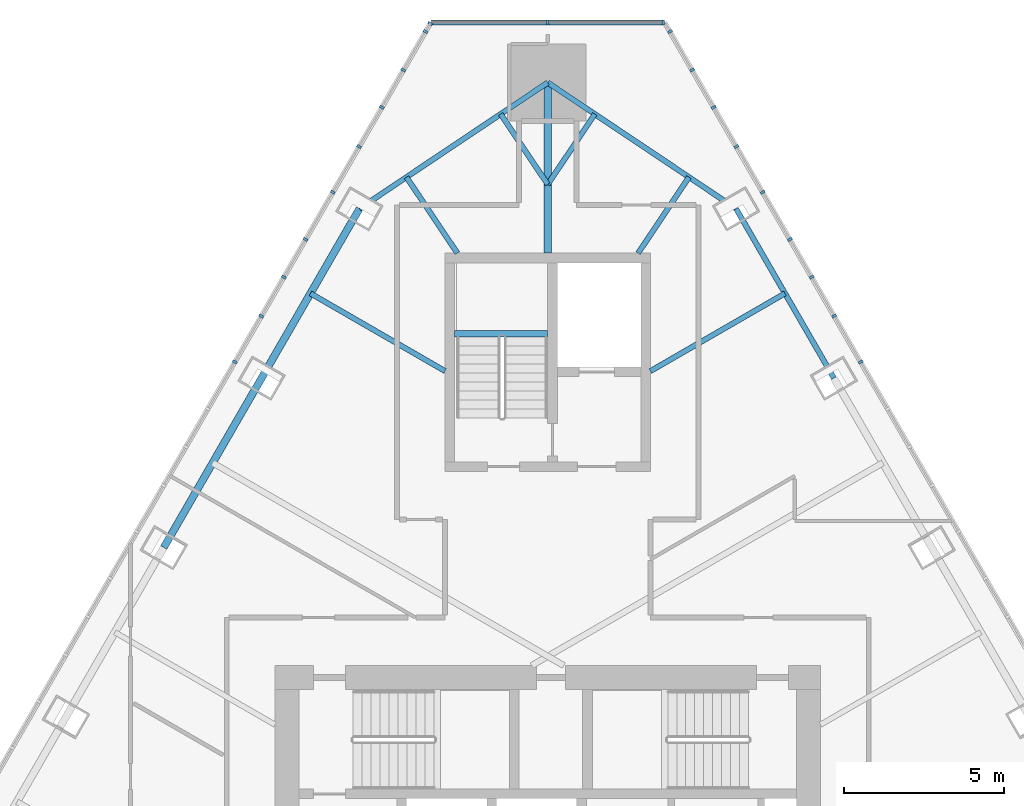
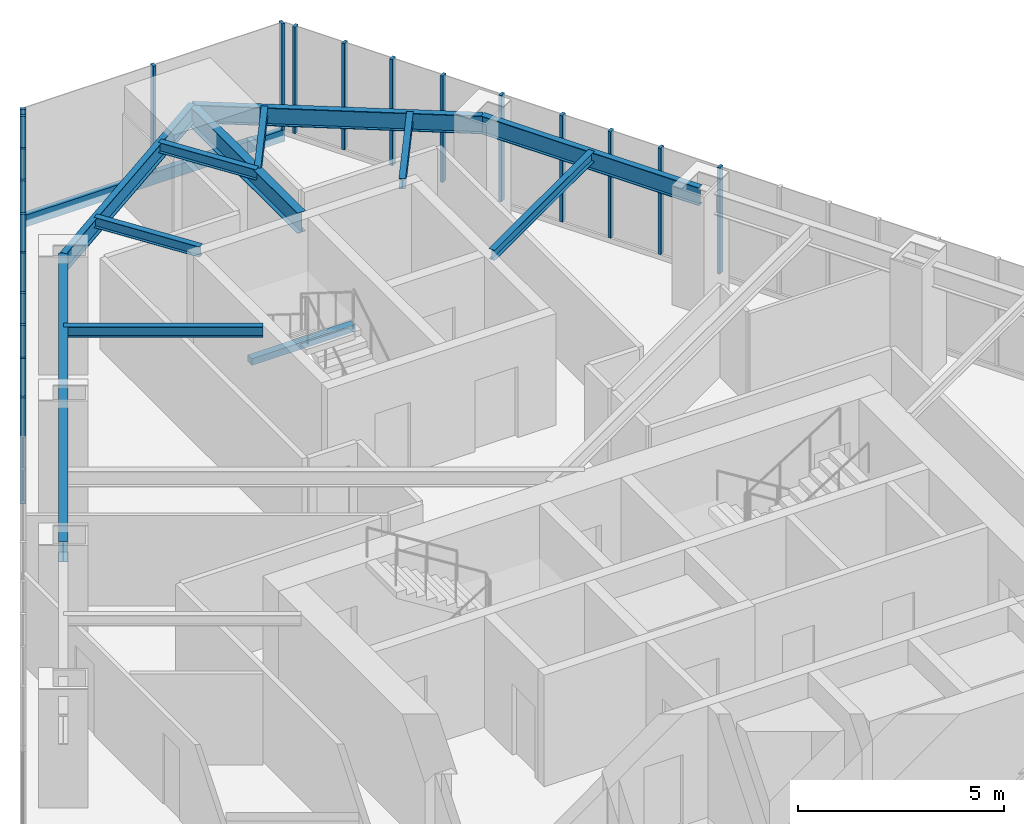
# One storey, part 9 of 20: 22 members, 12 beams, 3 elements without a shape of their own.
"""IFC4 building model written with IfcOpenShell, lengths in metres."""

import ifcopenshell
import ifcopenshell.guid

model = None  # the IFC model being written
_history = None  # IfcOwnerHistory: only IFC2X3 demands one
_inside = {}  # id of a spatial element -> (the spatial element, [elements in it])
_under = {}  # id of a project, library or spatial element -> (it, [spatial elements below it])
_declared = {}  # id of a project -> (the project, [libraries it declares])
_typed = {}  # id of a type object -> (the type object, [elements of that type])
_made_of = {}  # id of a material, layer set ... -> (it, [elements and type objects made of it])


def new_model(schema):
    """Start an empty IFC model of exactly this schema.

    Asked for "IFC4X3", IfcOpenShell would pick the latest addendum, in which some entities
    have other attributes; the version numbers below select the first issue.
    IFC2X3 requires an IfcOwnerHistory on every rooted entity: one is made here for all.
    """
    global model, _history
    if schema == "IFC4X3":
        model = ifcopenshell.file(schema_version=(4, 3, 0, 0))
    else:
        model = ifcopenshell.file(schema=schema)
    _inside.clear()
    _under.clear()
    _declared.clear()
    _typed.clear()
    _made_of.clear()
    _history = None
    if model.schema == "IFC2X3":
        org = make("IfcOrganization", Name="unknown")
        user = make(
            "IfcPersonAndOrganization",
            ThePerson=make("IfcPerson", FamilyName="unknown"),
            TheOrganization=org,
        )
        app = make(
            "IfcApplication",
            ApplicationDeveloper=org,
            Version="unknown",
            ApplicationFullName="unknown",
            ApplicationIdentifier="unknown",
        )
        _history = make(
            "IfcOwnerHistory",
            OwningUser=user,
            OwningApplication=app,
            ChangeAction="ADDED",
            CreationDate=0,
        )
    return model


def make(cls, **values):
    """One entity of the class cls with the attributes given. An attribute that is None is left unset."""
    return model.create_entity(
        cls, **{name: value for name, value in values.items() if value is not None}
    )


def rooted(cls, **values):
    """An entity with a GlobalId (a new one), such as an element, a storey or a relation."""
    return make(cls, GlobalId=ifcopenshell.guid.new(), OwnerHistory=_history, **values)


def si_unit(unit_type, name, prefix=None):
    """IfcSIUnit, for example si_unit("LENGTHUNIT", "METRE", prefix="MILLI")."""
    return make("IfcSIUnit", UnitType=unit_type, Prefix=prefix, Name=name)


def assignment(units):
    """IfcUnitAssignment: the units of a project."""
    return None if units is None else make("IfcUnitAssignment", Units=units)


def point(xyz):
    """IfcCartesianPoint."""
    return None if xyz is None else make("IfcCartesianPoint", Coordinates=xyz)


def direction(xyz):
    """IfcDirection."""
    return None if xyz is None else make("IfcDirection", DirectionRatios=xyz)


def frame(location, z_axis=None, x_axis=None):
    """IfcAxis2Placement3D, a coordinate frame: its origin and axes. An axis left out is left unset."""
    return make(
        "IfcAxis2Placement3D",
        Location=point(location),
        Axis=direction(z_axis),
        RefDirection=direction(x_axis),
    )


def frame_2d(location, x_axis=None):
    """IfcAxis2Placement2D, a coordinate frame in the plane: its origin and x axis."""
    return make(
        "IfcAxis2Placement2D", Location=point(location), RefDirection=direction(x_axis)
    )


def origin():
    """The frame at (0, 0, 0) with its axes left unset."""
    return frame((0.0, 0.0, 0.0))


def origin_2d():
    """The frame at (0, 0) in the plane with its x axis left unset."""
    return frame_2d((0.0, 0.0))


def place(relative_to, where):
    """IfcLocalPlacement: puts the frame where relative to a parent placement (None: the world)."""
    return make(
        "IfcLocalPlacement", PlacementRelTo=relative_to, RelativePlacement=where
    )


def context(
    kind, dimensions, precision=None, world=None, true_north=None, identifier=None
):
    """IfcGeometricRepresentationContext, for example the 3D "Model" context."""
    return make(
        "IfcGeometricRepresentationContext",
        ContextIdentifier=identifier,
        ContextType=kind,
        CoordinateSpaceDimension=dimensions,
        Precision=precision,
        WorldCoordinateSystem=world,
        TrueNorth=true_north,
    )


def subcontext(parent, identifier, kind, view, scale=None):
    """IfcGeometricRepresentationSubContext, for example "Body" below "Model"."""
    return make(
        "IfcGeometricRepresentationSubContext",
        ContextIdentifier=identifier,
        ContextType=kind,
        ParentContext=parent,
        TargetScale=scale,
        TargetView=view,
    )


def project(units=None, contexts=None):
    """IfcProject with its units and contexts."""
    return rooted(
        "IfcProject",
        Name="project",
        RepresentationContexts=contexts,
        UnitsInContext=assignment(units),
    )


def spatial(cls, under=None, at=None, **own):
    """A site, building, storey or space (cls), placed at a placement, below another one or the project."""
    s = rooted(cls, ObjectPlacement=at, **own)
    if under is not None:
        _under.setdefault(under.id(), (under, []))[1].append(s)
    return s


def profile(cls, at=None, kind="AREA", **sizes):
    """A parametric profile (cls). Its sizes go by their IFC names, for example OverallWidth=200.0."""
    return make(cls, ProfileType=kind, Position=at, **sizes)


def rectangle(**sizes):
    """IfcRectangleProfileDef."""
    return profile("IfcRectangleProfileDef", **sizes)


def i_section(**sizes):
    """IfcIShapeProfileDef."""
    return profile("IfcIShapeProfileDef", **sizes)


def extrude(swept, where, along, depth):
    """IfcExtrudedAreaSolid: the profile swept, set in the frame where, extruded along a direction by depth."""
    return make(
        "IfcExtrudedAreaSolid",
        SweptArea=swept,
        Position=where,
        ExtrudedDirection=direction(along),
        Depth=depth,
    )


def shape(context_of_items, identifier, shape_type, items):
    """IfcShapeRepresentation: the items that make up one representation, for example the "Body"."""
    return make(
        "IfcShapeRepresentation",
        ContextOfItems=context_of_items,
        RepresentationIdentifier=identifier,
        RepresentationType=shape_type,
        Items=items,
    )


def material(Name=None, Category=None):
    """IfcMaterial."""
    return make("IfcMaterial", Name=Name, Category=Category)


def layer(
    of_material, thickness, ventilated=None, Name=None, Category=None, Priority=None
):
    """IfcMaterialLayer: one layer of a wall or slab, of a material (None: an air gap)."""
    return make(
        "IfcMaterialLayer",
        Material=of_material,
        LayerThickness=thickness,
        IsVentilated=ventilated,
        Name=Name,
        Category=Category,
        Priority=Priority,
    )


def layer_set(layers, Name=None):
    """IfcMaterialLayerSet."""
    return make("IfcMaterialLayerSet", MaterialLayers=layers, LayerSetName=Name)


def material_profile(
    of_material, cross_section, Name=None, Category=None, Priority=None
):
    """IfcMaterialProfile: a cross section and its material."""
    return make(
        "IfcMaterialProfile",
        Name=Name,
        Material=of_material,
        Profile=cross_section,
        Priority=Priority,
        Category=Category,
    )


def profile_set(profiles, Name=None, composite=None):
    """IfcMaterialProfileSet."""
    return make(
        "IfcMaterialProfileSet",
        Name=Name,
        MaterialProfiles=profiles,
        CompositeProfile=composite,
    )


def made_of(thing, what):
    """Note that an element or type object is made of a material, layer set ...; save() writes the relation."""
    if what is not None:
        _made_of.setdefault(what.id(), (what, []))[1].append(thing)
    return thing


def type_object(cls, material=None, **own):
    """A type object (cls), such as IfcWallType, which elements share."""
    return made_of(rooted(cls, **own), material)


def element(
    cls,
    number,
    at=None,
    inside=None,
    cuts=None,
    type_object=None,
    material=None,
    context=None,
    identifier="Body",
    shape_type=None,
    held_by="IfcProductDefinitionShape",
    body=None,
    shapes=None,
    **own,
):
    """One element of the class cls, such as IfcWall. Its Tag is "e" and its number.

    at: its placement. inside: the storey or other place that contains it. cuts: it is an
    opening in that element (IfcRelVoidsElement). A single representation is given by context,
    identifier, shape_type and body (its items); several are given by shapes. held_by: the class
    of the entity that holds the representations. save() writes the other relations.
    """
    e = rooted(cls, Tag="e%d" % number, ObjectPlacement=at, **own)
    if body is not None:
        shapes = [shape(context, identifier, shape_type, body)]
    if shapes is not None:
        e.Representation = make(held_by, Representations=shapes)
    if inside is not None:
        _inside.setdefault(inside.id(), (inside, []))[1].append(e)
    if cuts is not None:
        rooted(
            "IfcRelVoidsElement", RelatingBuildingElement=cuts, RelatedOpeningElement=e
        )
    if type_object is not None:
        _typed.setdefault(type_object.id(), (type_object, []))[1].append(e)
    return made_of(e, material)


def aggregate(whole, parts):
    """IfcRelAggregates: a whole, such as a stair, and the parts it consists of."""
    return rooted("IfcRelAggregates", RelatingObject=whole, RelatedObjects=parts)


def save(model, path):
    """Write the relations noted so far, then the file.

    IfcRelAggregates (storeys below a building ...), IfcRelContainedInSpatialStructure (elements
    in a storey), IfcRelDefinesByType, IfcRelAssociatesMaterial and IfcRelDeclares: one each for
    every whole, place, type object, material and project.
    """
    for whole, parts in _under.values():
        aggregate(whole, parts)
    for where, things in _inside.values():
        rooted(
            "IfcRelContainedInSpatialStructure",
            RelatedElements=things,
            RelatingStructure=where,
        )
    for kind, things in _typed.values():
        rooted("IfcRelDefinesByType", RelatedObjects=things, RelatingType=kind)
    for what, things in _made_of.values():
        rooted("IfcRelAssociatesMaterial", RelatedObjects=things, RelatingMaterial=what)
    for by, libraries in _declared.values():
        rooted("IfcRelDeclares", RelatingContext=by, RelatedDefinitions=libraries)
    model.write(path)


model = new_model("IFC4")

# Units and contexts
model_context = context("Model", 3, precision=1e-05, world=origin(), true_north=direction((0.0, 1.0)))
body_context = subcontext(model_context, "Body", "Model", "MODEL_VIEW")
ifc_project = project(units=[si_unit("LENGTHUNIT", "METRE"), si_unit("AREAUNIT", "SQUARE_METRE"), si_unit("VOLUMEUNIT", "CUBIC_METRE"), si_unit("PLANEANGLEUNIT", "RADIAN"), si_unit("MASSUNIT", "GRAM", prefix="KILO")], contexts=[model_context])

# Site, building, storey
site_placement = place(None, origin())
site = spatial("IfcSite", under=ifc_project, at=site_placement, CompositionType="ELEMENT")
building_placement = place(site_placement, origin())
building = spatial("IfcBuilding", under=site, at=building_placement, Name="Firuza Gate Tower and Library", CompositionType="ELEMENT")
storey_placement = place(building_placement, frame((0.0, 0.0, 305.60009765625)))
storey = spatial("IfcBuildingStorey", under=building, at=storey_placement, Name="L74", CompositionType="ELEMENT", Elevation=305.60009765625)

# Curtain wall, members
ifc_material_1 = material(Name="Aluminium 6063-T6", Category="aluminium")
ifc_layer_1 = layer(ifc_material_1, 0.14990234375)
ifc_layer_set_1 = layer_set([ifc_layer_1], Name="Unitised curtain wall, residences")
curtain_wall_type_1 = type_object("IfcCurtainWallType", Name="Unitised curtain wall, residences", PredefinedType="NOTDEFINED", material=ifc_layer_set_1)
placement = place(storey_placement, origin())
curtain_wall_1 = element("IfcCurtainWall", 1, at=placement, inside=storey, type_object=curtain_wall_type_1, Name="CW3 L74 E face", PredefinedType="NOTDEFINED")
ifc_material_2 = material(Name="Aluminium 6063-T6", Category="aluminium")
ifc_material_profile_1 = material_profile(ifc_material_2, rectangle(XDim=0.14990234375, YDim=0.080078125, at=origin_2d()))
ifc_profile_set_1 = profile_set([ifc_material_profile_1], Name="Aluminium 6063-T6")
member_type_1 = type_object("IfcMemberType", Name="Curtain wall mullion 80x150", PredefinedType="MULLION", material=ifc_profile_set_1)
member_1_placement = place(storey_placement, frame((84.751708984375, 91.210205078125, 0.14990234375), z_axis=(0.0, 0.0, 1.0), x_axis=(-0.866025403784, -0.5, 0.0)))
member_1 = element("IfcMember", 2, at=member_1_placement, type_object=member_type_1, Name="Mullion", PredefinedType="MULLION", context=body_context, shape_type="SweptSolid", body=[
    extrude(rectangle(XDim=0.14990234375, YDim=0.080078125, at=origin_2d()), origin(), (0.0, 0.0, 1.0), 3.14990234375),
])
member_2_placement = place(storey_placement, frame((83.224609375, 93.855224609375, 0.14990234375), z_axis=(0.0, 0.0, 1.0), x_axis=(-0.866025403784, -0.5, 0.0)))
member_2 = element("IfcMember", 3, at=member_2_placement, type_object=member_type_1, Name="Mullion", PredefinedType="MULLION", context=body_context, shape_type="SweptSolid", body=[
    extrude(rectangle(XDim=0.14990234375, YDim=0.080078125, at=origin_2d()), origin(), (0.0, 0.0, 1.0), 3.14990234375),
])
member_3_placement = place(storey_placement, frame((81.697509765625, 96.500244140625, 0.14990234375), z_axis=(0.0, 0.0, 1.0), x_axis=(-0.866025403784, -0.5, 0.0)))
member_3 = element("IfcMember", 4, at=member_3_placement, type_object=member_type_1, Name="Mullion", PredefinedType="MULLION", context=body_context, shape_type="SweptSolid", body=[
    extrude(rectangle(XDim=0.14990234375, YDim=0.080078125, at=origin_2d()), origin(), (0.0, 0.0, 1.0), 3.14990234375),
])
member_4_placement = place(storey_placement, frame((80.17041015625, 99.145263671875, 0.14990234375), z_axis=(0.0, 0.0, 1.0), x_axis=(-0.866025403784, -0.5, 0.0)))
member_4 = element("IfcMember", 5, at=member_4_placement, type_object=member_type_1, Name="Mullion", PredefinedType="MULLION", context=body_context, shape_type="SweptSolid", body=[
    extrude(rectangle(XDim=0.14990234375, YDim=0.080078125, at=origin_2d()), origin(), (0.0, 0.0, 1.0), 3.14990234375),
])
member_5_placement = place(storey_placement, frame((83.92626953125, 92.639892578125, 0.14990234375), z_axis=(0.0, 0.0, 1.0), x_axis=(-0.866025403784, -0.5, 0.0)))
member_5 = element("IfcMember", 6, at=member_5_placement, type_object=member_type_1, Name="Mullion", PredefinedType="MULLION", context=body_context, shape_type="SweptSolid", body=[
    extrude(rectangle(XDim=0.14990234375, YDim=0.080078125, at=origin_2d()), origin(), (0.0, 0.0, 1.0), 3.14990234375),
])
member_6_placement = place(storey_placement, frame((82.547607421875, 95.027587890625, 0.14990234375), z_axis=(0.0, 0.0, 1.0), x_axis=(-0.866025403784, -0.5, 0.0)))
member_6 = element("IfcMember", 7, at=member_6_placement, type_object=member_type_1, Name="Mullion", PredefinedType="MULLION", context=body_context, shape_type="SweptSolid", body=[
    extrude(rectangle(XDim=0.14990234375, YDim=0.080078125, at=origin_2d()), origin(), (0.0, 0.0, 1.0), 3.14990234375),
])
member_7_placement = place(storey_placement, frame((80.878173828125, 97.919189453125, 0.14990234375), z_axis=(0.0, 0.0, 1.0), x_axis=(-0.866025403784, -0.5, 0.0)))
member_7 = element("IfcMember", 8, at=member_7_placement, type_object=member_type_1, Name="Mullion", PredefinedType="MULLION", context=body_context, shape_type="SweptSolid", body=[
    extrude(rectangle(XDim=0.14990234375, YDim=0.080078125, at=origin_2d()), origin(), (0.0, 0.0, 1.0), 3.14990234375),
])
member_8_placement = place(storey_placement, frame((79.499755859375, 100.306884765625, 0.14990234375), z_axis=(0.0, 0.0, 1.0), x_axis=(-0.866025403784, -0.5, 0.0)))
member_8 = element("IfcMember", 9, at=member_8_placement, type_object=member_type_1, Name="Mullion", PredefinedType="MULLION", context=body_context, shape_type="SweptSolid", body=[
    extrude(rectangle(XDim=0.14990234375, YDim=0.080078125, at=origin_2d()), origin(), (0.0, 0.0, 1.0), 3.14990234375),
])
member_9_placement = place(storey_placement, frame((78.808837890625, 101.50341796875, 0.14990234375), z_axis=(0.0, 0.0, 1.0), x_axis=(-0.866025403784, -0.5, 0.0)))
member_9 = element("IfcMember", 10, at=member_9_placement, type_object=member_type_1, Name="Mullion", PredefinedType="MULLION", context=body_context, shape_type="SweptSolid", body=[
    extrude(rectangle(XDim=0.14990234375, YDim=0.080078125, at=origin_2d()), origin(), (0.0, 0.0, 1.0), 3.14990234375),
])
aggregate(curtain_wall_1, [member_1, member_2, member_3, member_4, member_5, member_6, member_7, member_8, member_9])

ifc_material_3 = material(Name="Aluminium 6063-T6", Category="aluminium")
ifc_layer_2 = layer(ifc_material_3, 0.14990234375)
ifc_layer_set_2 = layer_set([ifc_layer_2], Name="Corner curtain wall, chamfers")
curtain_wall_type_2 = type_object("IfcCurtainWallType", Name="Corner curtain wall, chamfers", PredefinedType="NOTDEFINED", material=ifc_layer_set_2)
curtain_wall_2 = element("IfcCurtainWall", 11, at=placement, inside=storey, type_object=curtain_wall_type_2, Name="CW4 L74 N corner", PredefinedType="NOTDEFINED")
member_10_placement = place(storey_placement, frame((78.603271484375, 101.7900390625, 0.14990234375), z_axis=(0.0, 0.0, 1.0), x_axis=(0.0, -1.0, 0.0)))
member_10 = element("IfcMember", 12, at=member_10_placement, type_object=member_type_1, Name="Mullion", PredefinedType="MULLION", context=body_context, shape_type="SweptSolid", body=[
    extrude(rectangle(XDim=0.14990234375, YDim=0.080078125, at=origin_2d()), origin(), (0.0, 0.0, 1.0), 3.14990234375),
])
member_11_placement = place(storey_placement, frame((75.0, 101.7900390625, 0.14990234375), z_axis=(0.0, 0.0, 1.0), x_axis=(0.0, -1.0, 0.0)))
member_11 = element("IfcMember", 13, at=member_11_placement, type_object=member_type_1, Name="Mullion", PredefinedType="MULLION", context=body_context, shape_type="SweptSolid", body=[
    extrude(rectangle(XDim=0.14990234375, YDim=0.080078125, at=origin_2d()), origin(), (0.0, 0.0, 1.0), 3.14990234375),
])

curtain_wall_3 = element("IfcCurtainWall", 14, at=placement, inside=storey, type_object=curtain_wall_type_1, Name="CW3 L74 W face", PredefinedType="NOTDEFINED")
member_12_placement = place(storey_placement, frame((71.336669921875, 101.755615234375, 0.14990234375), z_axis=(0.0, 0.0, 1.0), x_axis=(0.866025403784, -0.5, 0.0)))
member_12 = element("IfcMember", 15, at=member_12_placement, type_object=member_type_1, Name="Mullion", PredefinedType="MULLION", context=body_context, shape_type="SweptSolid", body=[
    extrude(rectangle(XDim=0.14990234375, YDim=0.080078125, at=origin_2d()), origin(), (0.0, 0.0, 1.0), 3.14990234375),
])
member_13_placement = place(storey_placement, frame((69.82958984375, 99.145263671875, 0.14990234375), z_axis=(0.0, 0.0, 1.0), x_axis=(0.866025403784, -0.5, 0.0)))
member_13 = element("IfcMember", 16, at=member_13_placement, type_object=member_type_1, Name="Mullion", PredefinedType="MULLION", context=body_context, shape_type="SweptSolid", body=[
    extrude(rectangle(XDim=0.14990234375, YDim=0.080078125, at=origin_2d()), origin(), (0.0, 0.0, 1.0), 3.14990234375),
])
member_14_placement = place(storey_placement, frame((68.302490234375, 96.500244140625, 0.14990234375), z_axis=(0.0, 0.0, 1.0), x_axis=(0.866025403784, -0.5, 0.0)))
member_14 = element("IfcMember", 17, at=member_14_placement, type_object=member_type_1, Name="Mullion", PredefinedType="MULLION", context=body_context, shape_type="SweptSolid", body=[
    extrude(rectangle(XDim=0.14990234375, YDim=0.080078125, at=origin_2d()), origin(), (0.0, 0.0, 1.0), 3.14990234375),
])
member_15_placement = place(storey_placement, frame((66.775390625, 93.855224609375, 0.14990234375), z_axis=(0.0, 0.0, 1.0), x_axis=(0.866025403784, -0.5, 0.0)))
member_15 = element("IfcMember", 18, at=member_15_placement, type_object=member_type_1, Name="Mullion", PredefinedType="MULLION", context=body_context, shape_type="SweptSolid", body=[
    extrude(rectangle(XDim=0.14990234375, YDim=0.080078125, at=origin_2d()), origin(), (0.0, 0.0, 1.0), 3.14990234375),
])
member_16_placement = place(storey_placement, frame((65.248291015625, 91.210205078125, 0.14990234375), z_axis=(0.0, 0.0, 1.0), x_axis=(0.866025403784, -0.5, 0.0)))
member_16 = element("IfcMember", 19, at=member_16_placement, type_object=member_type_1, Name="Mullion", PredefinedType="MULLION", context=body_context, shape_type="SweptSolid", body=[
    extrude(rectangle(XDim=0.14990234375, YDim=0.080078125, at=origin_2d()), origin(), (0.0, 0.0, 1.0), 3.14990234375),
])
member_17_placement = place(storey_placement, frame((71.191162109375, 101.50341796875, 0.14990234375), z_axis=(0.0, 0.0, 1.0), x_axis=(0.866025403784, -0.5, 0.0)))
member_17 = element("IfcMember", 20, at=member_17_placement, type_object=member_type_1, Name="Mullion", PredefinedType="MULLION", context=body_context, shape_type="SweptSolid", body=[
    extrude(rectangle(XDim=0.14990234375, YDim=0.080078125, at=origin_2d()), origin(), (0.0, 0.0, 1.0), 3.14990234375),
])
member_18_placement = place(storey_placement, frame((70.500244140625, 100.306884765625, 0.14990234375), z_axis=(0.0, 0.0, 1.0), x_axis=(0.866025403784, -0.5, 0.0)))
member_18 = element("IfcMember", 21, at=member_18_placement, type_object=member_type_1, Name="Mullion", PredefinedType="MULLION", context=body_context, shape_type="SweptSolid", body=[
    extrude(rectangle(XDim=0.14990234375, YDim=0.080078125, at=origin_2d()), origin(), (0.0, 0.0, 1.0), 3.14990234375),
])
member_19_placement = place(storey_placement, frame((69.121826171875, 97.919189453125, 0.14990234375), z_axis=(0.0, 0.0, 1.0), x_axis=(0.866025403784, -0.5, 0.0)))
member_19 = element("IfcMember", 22, at=member_19_placement, type_object=member_type_1, Name="Mullion", PredefinedType="MULLION", context=body_context, shape_type="SweptSolid", body=[
    extrude(rectangle(XDim=0.14990234375, YDim=0.080078125, at=origin_2d()), origin(), (0.0, 0.0, 1.0), 3.14990234375),
])
member_20_placement = place(storey_placement, frame((67.452392578125, 95.027587890625, 0.14990234375), z_axis=(0.0, 0.0, 1.0), x_axis=(0.866025403784, -0.5, 0.0)))
member_20 = element("IfcMember", 23, at=member_20_placement, type_object=member_type_1, Name="Mullion", PredefinedType="MULLION", context=body_context, shape_type="SweptSolid", body=[
    extrude(rectangle(XDim=0.14990234375, YDim=0.080078125, at=origin_2d()), origin(), (0.0, 0.0, 1.0), 3.14990234375),
])
member_21_placement = place(storey_placement, frame((66.07373046875, 92.639892578125, 0.14990234375), z_axis=(0.0, 0.0, 1.0), x_axis=(0.866025403784, -0.5, 0.0)))
member_21 = element("IfcMember", 24, at=member_21_placement, type_object=member_type_1, Name="Mullion", PredefinedType="MULLION", context=body_context, shape_type="SweptSolid", body=[
    extrude(rectangle(XDim=0.14990234375, YDim=0.080078125, at=origin_2d()), origin(), (0.0, 0.0, 1.0), 3.14990234375),
])
aggregate(curtain_wall_3, [member_12, member_13, member_14, member_15, member_16, member_17, member_18, member_19, member_20, member_21])

# Member
ifc_material_4 = material(Name="Aluminium 6063-T6", Category="aluminium")
ifc_material_profile_2 = material_profile(ifc_material_4, rectangle(XDim=0.14990234375, YDim=0.35009765625, at=origin_2d()))
ifc_profile_set_2 = profile_set([ifc_material_profile_2], Name="Aluminium 6063-T6")
member_type_2 = type_object("IfcMemberType", Name="Curtain wall transom 350x150", PredefinedType="USERDEFINED", material=ifc_profile_set_2)
member_22_placement = place(storey_placement, frame((78.643310546875, 101.7900390625, -0.025146484375), z_axis=(-1.0, 0.0, 0.0), x_axis=(0.0, -1.0, 0.0)))
member_22 = element("IfcMember", 25, at=member_22_placement, type_object=member_type_2, Name="Transom", ObjectType="TRANSOM", PredefinedType="USERDEFINED", context=body_context, shape_type="SweptSolid", body=[
    extrude(rectangle(XDim=0.14990234375, YDim=0.35009765625, at=origin_2d()), origin(), (0.0, 0.0, 1.0), 7.28662109375),
])

aggregate(curtain_wall_2, [member_10, member_11, member_22])

# Beams
ifc_material_5 = material(Name="Concrete C35/45", Category="concrete")
ifc_material_profile_3 = material_profile(ifc_material_5, rectangle(XDim=0.199951171875, YDim=0.199951171875, at=origin_2d()))
ifc_profile_set_3 = profile_set([ifc_material_profile_3], Name="Concrete C35/45")
beam_type_1 = type_object("IfcBeamType", Name="Stair landing bearer 200x200", PredefinedType="BEAM", material=ifc_profile_set_3)
beam_1_placement = place(storey_placement, frame((75.0, 92.090087890625, 1.449951171875), z_axis=(-1.0, 0.0, 0.0), x_axis=(0.0, -1.0, 0.0)))
element("IfcBeam", 26, at=beam_1_placement, inside=storey, type_object=beam_type_1, Name="Landing bearer L74 stair 3", PredefinedType="BEAM", context=body_context, shape_type="SweptSolid", body=[
    extrude(rectangle(XDim=0.199951171875, YDim=0.199951171875, at=origin_2d()), origin(), (0.0, 0.0, 1.0), 2.89990234375),
])
ifc_material_6 = material(Name="Steel S355", Category="steel")
ifc_material_profile_4 = material_profile(ifc_material_6, i_section(OverallWidth=0.1650390625, OverallDepth=0.31005859375, WebThickness=0.005859375, FlangeThickness=0.009765625, at=origin_2d()))
ifc_profile_set_4 = profile_set([ifc_material_profile_4], Name="Steel S355")
beam_type_2 = type_object("IfcBeamType", Name="W310x39 Floor beam", PredefinedType="JOIST", material=ifc_profile_set_4)
beam_2_placement = place(storey_placement, frame((82.392578125, 93.34619140625, 3.14501953125), z_axis=(-0.866021826347, -0.500006196252, 0.0), x_axis=(0.500006196252, -0.866021826347, 0.0)))
element("IfcBeam", 27, at=beam_2_placement, inside=storey, type_object=beam_type_2, Name="Floor beam L74 s54", PredefinedType="JOIST", context=body_context, shape_type="SweptSolid", body=[
    extrude(i_section(OverallWidth=0.1650390625, OverallDepth=0.31005859375, WebThickness=0.005859375, FlangeThickness=0.009765625, at=origin_2d()), origin(), (0.0, 0.0, 1.0), 4.84130859375),
])
beam_3_placement = place(storey_placement, frame((79.4013671875, 96.96826171875, 3.14501953125), z_axis=(-0.556320222959, -0.830967995489, 0.0), x_axis=(0.830967995489, -0.556320222959, 0.0)))
element("IfcBeam", 28, at=beam_3_placement, inside=storey, type_object=beam_type_2, Name="Floor beam L74 s60", PredefinedType="JOIST", context=body_context, shape_type="SweptSolid", body=[
    extrude(i_section(OverallWidth=0.1650390625, OverallDepth=0.31005859375, WebThickness=0.005859375, FlangeThickness=0.009765625, at=origin_2d()), origin(), (0.0, 0.0, 1.0), 2.849853515625),
])
for number, where, z_axis, x_axis, name in (
    (29, (76.467041015625, 98.932861328125, 3.14501953125), (-0.556344279154, -0.830951889734, 0.0), (0.830951889734, -0.556344279154, 0.0), "Floor beam L74 s61"),
    (30, (73.532958984375, 98.932861328125, 3.14501953125), (0.556344279154, -0.830951889734, 0.0), (0.830951889734, 0.556344279154, 0.0), "Floor beam L74 s70"),
):
    element("IfcBeam", number, at=place(storey_placement, frame(where, z_axis=z_axis, x_axis=x_axis)), inside=storey, type_object=beam_type_2, Name=name, PredefinedType="JOIST", context=body_context, shape_type="SweptSolid", body=[
        extrude(i_section(OverallWidth=0.1650390625, OverallDepth=0.31005859375, WebThickness=0.005859375, FlangeThickness=0.009765625, at=origin_2d()), origin(), (0.0, 0.0, 1.0), 2.636962890625),
    ])
beam_4_placement = place(storey_placement, frame((70.5986328125, 96.96826171875, 3.14501953125), z_axis=(0.556320222959, -0.830967995489, 0.0), x_axis=(0.830967995489, 0.556320222959, 0.0)))
element("IfcBeam", 31, at=beam_4_placement, inside=storey, type_object=beam_type_2, Name="Floor beam L74 s71", PredefinedType="JOIST", context=body_context, shape_type="SweptSolid", body=[
    extrude(i_section(OverallWidth=0.1650390625, OverallDepth=0.31005859375, WebThickness=0.005859375, FlangeThickness=0.009765625, at=origin_2d()), origin(), (0.0, 0.0, 1.0), 2.849853515625),
])
beam_5_placement = place(storey_placement, frame((67.607421875, 93.34619140625, 3.14501953125), z_axis=(0.866021826347, -0.500006196252, 0.0), x_axis=(0.500006196252, 0.866021826347, 0.0)))
element("IfcBeam", 32, at=beam_5_placement, inside=storey, type_object=beam_type_2, Name="Floor beam L74 s80", PredefinedType="JOIST", context=body_context, shape_type="SweptSolid", body=[
    extrude(i_section(OverallWidth=0.1650390625, OverallDepth=0.31005859375, WebThickness=0.005859375, FlangeThickness=0.009765625, at=origin_2d()), origin(), (0.0, 0.0, 1.0), 4.84130859375),
])
ifc_material_7 = material(Name="Steel S355", Category="steel")
ifc_material_profile_5 = material_profile(ifc_material_7, i_section(OverallWidth=0.166015625, OverallDepth=0.534912109375, WebThickness=0.01025390625, FlangeThickness=0.0166015625, at=origin_2d()))
ifc_profile_set_5 = profile_set([ifc_material_profile_5], Name="Steel S355")
beam_type_3 = type_object("IfcBeamType", Name="W530x85 Edge beam", PredefinedType="SPANDREL", material=ifc_profile_set_5)
beam_6_placement = place(storey_placement, frame((83.91650390625, 90.70654296875, 3.032470703125), z_axis=(-0.49998131003, 0.866036194175, 0.0), x_axis=(-0.866036194175, -0.49998131003, 0.0)))
element("IfcBeam", 33, at=beam_6_placement, inside=storey, type_object=beam_type_3, Name="Edge beam L74 e54", PredefinedType="SPANDREL", context=body_context, shape_type="SweptSolid", body=[
    extrude(i_section(OverallWidth=0.166015625, OverallDepth=0.534912109375, WebThickness=0.01025390625, FlangeThickness=0.0166015625, at=origin_2d()), origin(), (0.0, 0.0, 1.0), 6.095947265625),
])
for number, where, z_axis, x_axis, name in (
    (34, (80.86865234375, 95.98583984375, 3.032470703125), (-0.830953121898, 0.556342438798, 0.0), (-0.556342438798, -0.830953121898, 0.0), "Edge beam L74 e60"),
    (35, (75.0, 99.9150390625, 3.032470703125), (-0.830953121898, -0.556342438798, 0.0), (0.556342438798, -0.830953121898, 0.0), "Edge beam L74 e70"),
):
    element("IfcBeam", number, at=place(storey_placement, frame(where, z_axis=z_axis, x_axis=x_axis)), inside=storey, type_object=beam_type_3, Name=name, PredefinedType="SPANDREL", context=body_context, shape_type="SweptSolid", body=[
        extrude(i_section(OverallWidth=0.166015625, OverallDepth=0.534912109375, WebThickness=0.01025390625, FlangeThickness=0.0166015625, at=origin_2d()), origin(), (0.0, 0.0, 1.0), 7.0625),
    ])
ifc_material_8 = material(Name="Steel S355", Category="steel")
ifc_material_profile_6 = material_profile(ifc_material_8, i_section(OverallWidth=0.22802734375, OverallDepth=0.60302734375, WebThickness=0.010498046875, FlangeThickness=0.014892578125, at=origin_2d()))
ifc_profile_set_6 = profile_set([ifc_material_profile_6], Name="Steel S355")
beam_type_4 = type_object("IfcBeamType", Name="W610x101 Girder", PredefinedType="BEAM", material=ifc_profile_set_6)
beam_7_placement = place(storey_placement, frame((75.0, 99.9150390625, 2.998291015625), z_axis=(0.0, -1.0, 0.0), x_axis=(1.0, 0.0, 0.0)))
element("IfcBeam", 36, at=beam_7_placement, inside=storey, type_object=beam_type_4, Name="Girder L74 gN", PredefinedType="BEAM", context=body_context, shape_type="SweptSolid", body=[
    extrude(i_section(OverallWidth=0.22802734375, OverallDepth=0.60302734375, WebThickness=0.010498046875, FlangeThickness=0.014892578125, at=origin_2d()), origin(), (0.0, 0.0, 1.0), 5.31494140625),
])
ifc_material_9 = material(Name="Steel S355", Category="steel")
ifc_material_profile_7 = material_profile(ifc_material_9, i_section(OverallWidth=0.22900390625, OverallDepth=0.612060546875, WebThickness=0.011962890625, FlangeThickness=0.01953125, at=origin_2d()))
ifc_profile_set_7 = profile_set([ifc_material_profile_7], Name="Steel S355")
beam_type_5 = type_object("IfcBeamType", Name="W610x125 Edge beam", PredefinedType="SPANDREL", material=ifc_profile_set_7)
beam_8_placement = place(storey_placement, frame((69.13134765625, 95.98583984375, 2.993896484375), z_axis=(-0.499996328842, -0.866027523318, 0.0), x_axis=(0.866027523318, -0.499996328842, 0.0)))
element("IfcBeam", 37, at=beam_8_placement, inside=storey, type_object=beam_type_5, Name="Edge beam L74 e80", PredefinedType="SPANDREL", context=body_context, shape_type="SweptSolid", body=[
    extrude(i_section(OverallWidth=0.22900390625, OverallDepth=0.612060546875, WebThickness=0.011962890625, FlangeThickness=0.01953125, at=origin_2d()), origin(), (0.0, 0.0, 1.0), 12.19189453125),
])

save(model, "model.ifc")
